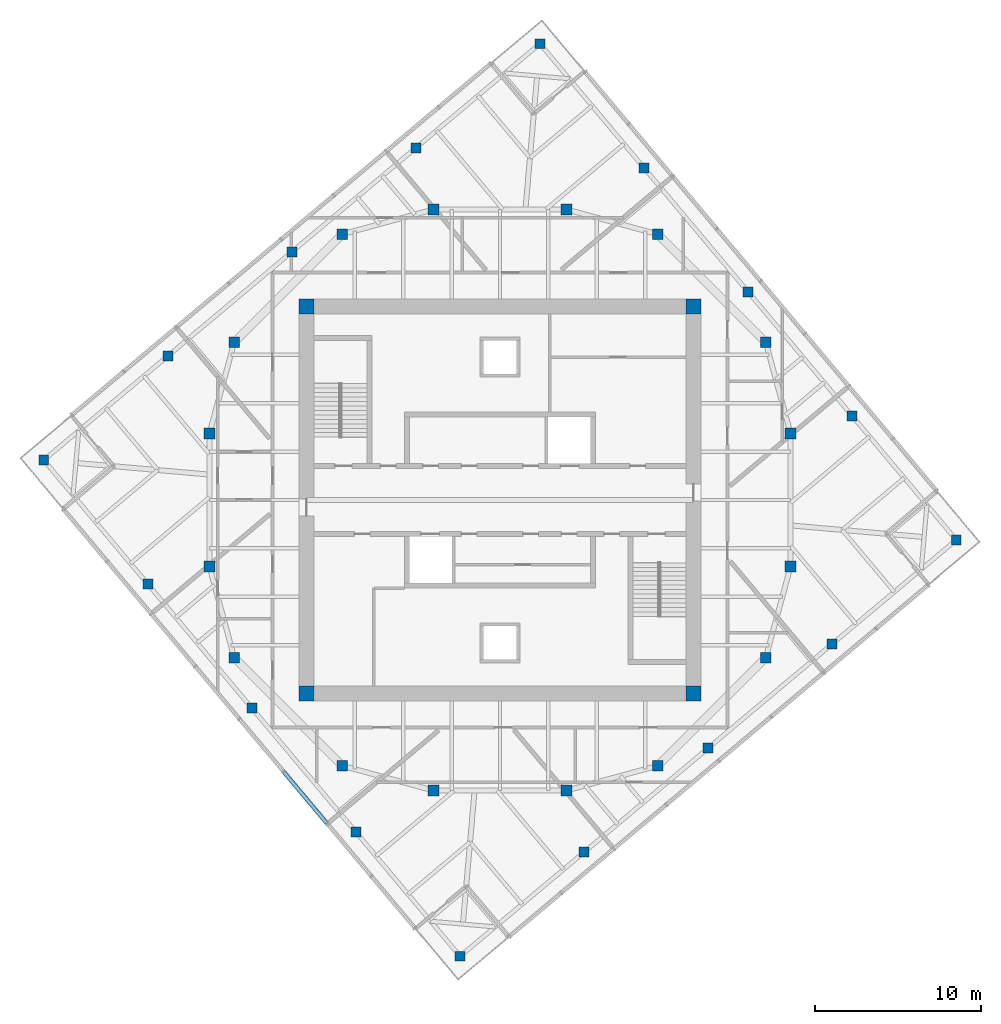
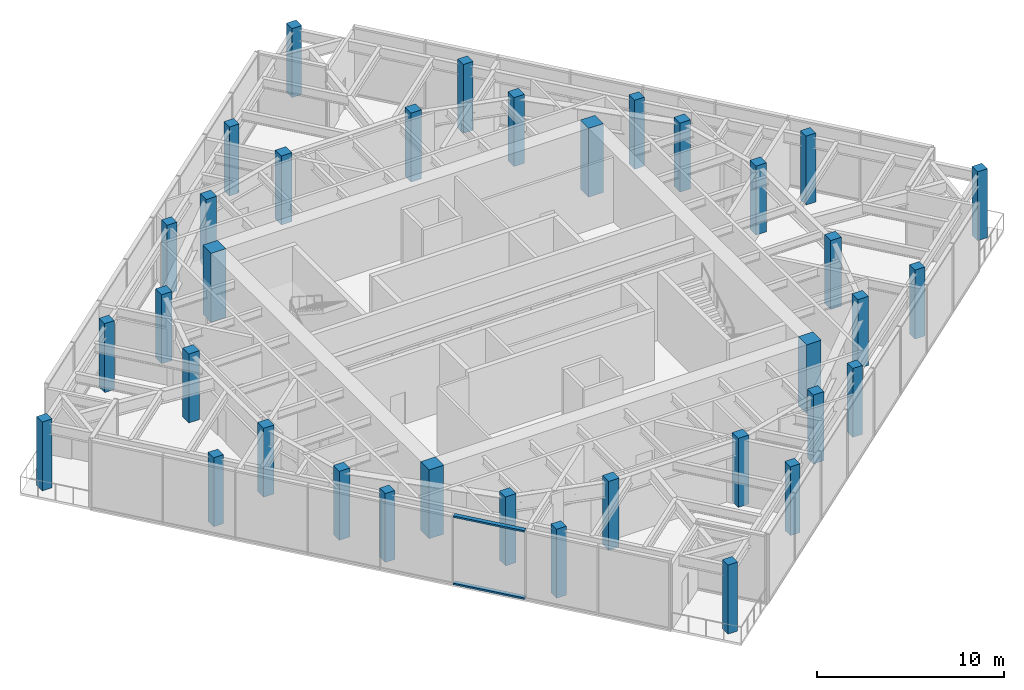
# One storey, part 1 of 11: 36 columns, 2 members, 1 element without a shape of its own.
"""IFC4 building model written with IfcOpenShell, lengths in metres."""

import ifcopenshell
import ifcopenshell.guid

model = None  # the IFC model being written
_history = None  # IfcOwnerHistory: only IFC2X3 demands one
_inside = {}  # id of a spatial element -> (the spatial element, [elements in it])
_under = {}  # id of a project, library or spatial element -> (it, [spatial elements below it])
_declared = {}  # id of a project -> (the project, [libraries it declares])
_typed = {}  # id of a type object -> (the type object, [elements of that type])
_made_of = {}  # id of a material, layer set ... -> (it, [elements and type objects made of it])


def new_model(schema):
    """Start an empty IFC model of exactly this schema.

    Asked for "IFC4X3", IfcOpenShell would pick the latest addendum, in which some entities
    have other attributes; the version numbers below select the first issue.
    IFC2X3 requires an IfcOwnerHistory on every rooted entity: one is made here for all.
    """
    global model, _history
    if schema == "IFC4X3":
        model = ifcopenshell.file(schema_version=(4, 3, 0, 0))
    else:
        model = ifcopenshell.file(schema=schema)
    _inside.clear()
    _under.clear()
    _declared.clear()
    _typed.clear()
    _made_of.clear()
    _history = None
    if model.schema == "IFC2X3":
        org = make("IfcOrganization", Name="unknown")
        user = make(
            "IfcPersonAndOrganization",
            ThePerson=make("IfcPerson", FamilyName="unknown"),
            TheOrganization=org,
        )
        app = make(
            "IfcApplication",
            ApplicationDeveloper=org,
            Version="unknown",
            ApplicationFullName="unknown",
            ApplicationIdentifier="unknown",
        )
        _history = make(
            "IfcOwnerHistory",
            OwningUser=user,
            OwningApplication=app,
            ChangeAction="ADDED",
            CreationDate=0,
        )
    return model


def make(cls, **values):
    """One entity of the class cls with the attributes given. An attribute that is None is left unset."""
    return model.create_entity(
        cls, **{name: value for name, value in values.items() if value is not None}
    )


def rooted(cls, **values):
    """An entity with a GlobalId (a new one), such as an element, a storey or a relation."""
    return make(cls, GlobalId=ifcopenshell.guid.new(), OwnerHistory=_history, **values)


def si_unit(unit_type, name, prefix=None):
    """IfcSIUnit, for example si_unit("LENGTHUNIT", "METRE", prefix="MILLI")."""
    return make("IfcSIUnit", UnitType=unit_type, Prefix=prefix, Name=name)


def assignment(units):
    """IfcUnitAssignment: the units of a project."""
    return None if units is None else make("IfcUnitAssignment", Units=units)


def point(xyz):
    """IfcCartesianPoint."""
    return None if xyz is None else make("IfcCartesianPoint", Coordinates=xyz)


def direction(xyz):
    """IfcDirection."""
    return None if xyz is None else make("IfcDirection", DirectionRatios=xyz)


def frame(location, z_axis=None, x_axis=None):
    """IfcAxis2Placement3D, a coordinate frame: its origin and axes. An axis left out is left unset."""
    return make(
        "IfcAxis2Placement3D",
        Location=point(location),
        Axis=direction(z_axis),
        RefDirection=direction(x_axis),
    )


def frame_2d(location, x_axis=None):
    """IfcAxis2Placement2D, a coordinate frame in the plane: its origin and x axis."""
    return make(
        "IfcAxis2Placement2D", Location=point(location), RefDirection=direction(x_axis)
    )


def origin():
    """The frame at (0, 0, 0) with its axes left unset."""
    return frame((0.0, 0.0, 0.0))


def origin_2d():
    """The frame at (0, 0) in the plane with its x axis left unset."""
    return frame_2d((0.0, 0.0))


def place(relative_to, where):
    """IfcLocalPlacement: puts the frame where relative to a parent placement (None: the world)."""
    return make(
        "IfcLocalPlacement", PlacementRelTo=relative_to, RelativePlacement=where
    )


def context(
    kind, dimensions, precision=None, world=None, true_north=None, identifier=None
):
    """IfcGeometricRepresentationContext, for example the 3D "Model" context."""
    return make(
        "IfcGeometricRepresentationContext",
        ContextIdentifier=identifier,
        ContextType=kind,
        CoordinateSpaceDimension=dimensions,
        Precision=precision,
        WorldCoordinateSystem=world,
        TrueNorth=true_north,
    )


def subcontext(parent, identifier, kind, view, scale=None):
    """IfcGeometricRepresentationSubContext, for example "Body" below "Model"."""
    return make(
        "IfcGeometricRepresentationSubContext",
        ContextIdentifier=identifier,
        ContextType=kind,
        ParentContext=parent,
        TargetScale=scale,
        TargetView=view,
    )


def project(units=None, contexts=None):
    """IfcProject with its units and contexts."""
    return rooted(
        "IfcProject",
        Name="project",
        RepresentationContexts=contexts,
        UnitsInContext=assignment(units),
    )


def spatial(cls, under=None, at=None, **own):
    """A site, building, storey or space (cls), placed at a placement, below another one or the project."""
    s = rooted(cls, ObjectPlacement=at, **own)
    if under is not None:
        _under.setdefault(under.id(), (under, []))[1].append(s)
    return s


def profile(cls, at=None, kind="AREA", **sizes):
    """A parametric profile (cls). Its sizes go by their IFC names, for example OverallWidth=200.0."""
    return make(cls, ProfileType=kind, Position=at, **sizes)


def rectangle(**sizes):
    """IfcRectangleProfileDef."""
    return profile("IfcRectangleProfileDef", **sizes)


def extrude(swept, where, along, depth):
    """IfcExtrudedAreaSolid: the profile swept, set in the frame where, extruded along a direction by depth."""
    return make(
        "IfcExtrudedAreaSolid",
        SweptArea=swept,
        Position=where,
        ExtrudedDirection=direction(along),
        Depth=depth,
    )


def shape(context_of_items, identifier, shape_type, items):
    """IfcShapeRepresentation: the items that make up one representation, for example the "Body"."""
    return make(
        "IfcShapeRepresentation",
        ContextOfItems=context_of_items,
        RepresentationIdentifier=identifier,
        RepresentationType=shape_type,
        Items=items,
    )


def material(Name=None, Category=None):
    """IfcMaterial."""
    return make("IfcMaterial", Name=Name, Category=Category)


def material_profile(
    of_material, cross_section, Name=None, Category=None, Priority=None
):
    """IfcMaterialProfile: a cross section and its material."""
    return make(
        "IfcMaterialProfile",
        Name=Name,
        Material=of_material,
        Profile=cross_section,
        Priority=Priority,
        Category=Category,
    )


def profile_set(profiles, Name=None, composite=None):
    """IfcMaterialProfileSet."""
    return make(
        "IfcMaterialProfileSet",
        Name=Name,
        MaterialProfiles=profiles,
        CompositeProfile=composite,
    )


def made_of(thing, what):
    """Note that an element or type object is made of a material, layer set ...; save() writes the relation."""
    if what is not None:
        _made_of.setdefault(what.id(), (what, []))[1].append(thing)
    return thing


def type_object(cls, material=None, **own):
    """A type object (cls), such as IfcWallType, which elements share."""
    return made_of(rooted(cls, **own), material)


def element(
    cls,
    number,
    at=None,
    inside=None,
    cuts=None,
    type_object=None,
    material=None,
    context=None,
    identifier="Body",
    shape_type=None,
    held_by="IfcProductDefinitionShape",
    body=None,
    shapes=None,
    **own,
):
    """One element of the class cls, such as IfcWall. Its Tag is "e" and its number.

    at: its placement. inside: the storey or other place that contains it. cuts: it is an
    opening in that element (IfcRelVoidsElement). A single representation is given by context,
    identifier, shape_type and body (its items); several are given by shapes. held_by: the class
    of the entity that holds the representations. save() writes the other relations.
    """
    e = rooted(cls, Tag="e%d" % number, ObjectPlacement=at, **own)
    if body is not None:
        shapes = [shape(context, identifier, shape_type, body)]
    if shapes is not None:
        e.Representation = make(held_by, Representations=shapes)
    if inside is not None:
        _inside.setdefault(inside.id(), (inside, []))[1].append(e)
    if cuts is not None:
        rooted(
            "IfcRelVoidsElement", RelatingBuildingElement=cuts, RelatedOpeningElement=e
        )
    if type_object is not None:
        _typed.setdefault(type_object.id(), (type_object, []))[1].append(e)
    return made_of(e, material)


def aggregate(whole, parts):
    """IfcRelAggregates: a whole, such as a stair, and the parts it consists of."""
    return rooted("IfcRelAggregates", RelatingObject=whole, RelatedObjects=parts)


def save(model, path):
    """Write the relations noted so far, then the file.

    IfcRelAggregates (storeys below a building ...), IfcRelContainedInSpatialStructure (elements
    in a storey), IfcRelDefinesByType, IfcRelAssociatesMaterial and IfcRelDeclares: one each for
    every whole, place, type object, material and project.
    """
    for whole, parts in _under.values():
        aggregate(whole, parts)
    for where, things in _inside.values():
        rooted(
            "IfcRelContainedInSpatialStructure",
            RelatedElements=things,
            RelatingStructure=where,
        )
    for kind, things in _typed.values():
        rooted("IfcRelDefinesByType", RelatedObjects=things, RelatingType=kind)
    for what, things in _made_of.values():
        rooted("IfcRelAssociatesMaterial", RelatedObjects=things, RelatingMaterial=what)
    for by, libraries in _declared.values():
        rooted("IfcRelDeclares", RelatingContext=by, RelatedDefinitions=libraries)
    model.write(path)


model = new_model("IFC4")

# Units and contexts
model_context = context("Model", 3, precision=1e-05, world=origin(), true_north=direction((0.0, 1.0)))
body_context = subcontext(model_context, "Body", "Model", "MODEL_VIEW")
ifc_project = project(units=[si_unit("LENGTHUNIT", "METRE"), si_unit("AREAUNIT", "SQUARE_METRE"), si_unit("VOLUMEUNIT", "CUBIC_METRE"), si_unit("PLANEANGLEUNIT", "RADIAN"), si_unit("MASSUNIT", "GRAM", prefix="KILO")], contexts=[model_context])

# Site, building, storey
site_placement = place(None, origin())
site = spatial("IfcSite", under=ifc_project, at=site_placement, CompositionType="ELEMENT")
building_placement = place(site_placement, origin())
building = spatial("IfcBuilding", under=site, at=building_placement, Name="Torsade Residences", CompositionType="ELEMENT")
storey_placement = place(building_placement, frame((0.0, 0.0, 304.300048828125)))
storey = spatial("IfcBuildingStorey", under=building, at=storey_placement, Name="L84", CompositionType="ELEMENT", Elevation=304.300048828125)

# Columns
ifc_material_1 = material(Name="Concrete 80 MPa", Category="concrete")
ifc_material_profile_1 = material_profile(ifc_material_1, rectangle(XDim=0.89990234375, YDim=0.89990234375, at=origin_2d()), Name="RC 900x900")
ifc_profile_set_1 = profile_set([ifc_material_profile_1], Name="Concrete 80 MPa")
column_type_1 = type_object("IfcColumnType", Name="CORE CORNER COLUMN RC 900x900", PredefinedType="COLUMN", material=ifc_profile_set_1)
for number, where, z_axis, x_axis, name in (
    (1, (28.35009765625, 18.35009765625, 0.0), (0.0, 0.0, 1.0), (1.0, 0.0, 0.0), "Core corner column CC1 L84"),
    (2, (51.64990234375, 18.35009765625, 0.0), (0.0, 0.0, 1.0), (1.0, 0.0, 0.0), "Core corner column CC2 L84"),
    (3, (51.64990234375, 41.64990234375, 0.0), (0.0, 0.0, 1.0), (1.0, 0.0, 0.0), "Core corner column CC3 L84"),
    (4, (28.35009765625, 41.64990234375, 0.0), (0.0, 0.0, 1.0), (1.0, 0.0, 0.0), "Core corner column CC4 L84"),
):
    element("IfcColumn", number, at=place(storey_placement, frame(where, z_axis=z_axis, x_axis=x_axis)), inside=storey, type_object=column_type_1, Name=name, PredefinedType="COLUMN", context=body_context, shape_type="SweptSolid", body=[
        extrude(rectangle(XDim=0.89990234375, YDim=0.89990234375, at=origin_2d()), origin(), (0.0, 0.0, 1.0), 4.5),
    ])
ifc_material_2 = material(Name="Concrete 80 MPa", Category="concrete")
ifc_material_profile_2 = material_profile(ifc_material_2, rectangle(XDim=0.64990234375, YDim=0.64990234375, at=origin_2d()), Name="RC 650x650")
ifc_profile_set_2 = profile_set([ifc_material_profile_2], Name="Concrete 80 MPa")
column_type_2 = type_object("IfcColumnType", Name="INNER RING COLUMN RC 650x650", PredefinedType="COLUMN", material=ifc_profile_set_2)
for number, where, z_axis, x_axis, name in (
    (5, (57.5, 26.0, 0.0), (0.0, 0.0, 1.0), (1.0, 0.0, 0.0), "Inner ring column IR01 L84"),
    (6, (57.5, 34.0, 0.0), (0.0, 0.0, 1.0), (1.0, 0.0, 0.0), "Inner ring column IR02 L84"),
    (7, (56.0, 39.5, 0.0), (0.0, 0.0, 1.0), (1.0, 0.0, 0.0), "Inner ring column IR03 L84"),
    (8, (49.5, 46.0, 0.0), (0.0, 0.0, 1.0), (1.0, 0.0, 0.0), "Inner ring column IR04 L84"),
    (9, (44.0, 47.5, 0.0), (0.0, 0.0, 1.0), (1.0, 0.0, 0.0), "Inner ring column IR05 L84"),
    (10, (36.0, 47.5, 0.0), (0.0, 0.0, 1.0), (1.0, 0.0, 0.0), "Inner ring column IR06 L84"),
    (11, (30.5, 46.0, 0.0), (0.0, 0.0, 1.0), (1.0, 0.0, 0.0), "Inner ring column IR07 L84"),
    (12, (24.0, 39.5, 0.0), (0.0, 0.0, 1.0), (1.0, 0.0, 0.0), "Inner ring column IR08 L84"),
    (13, (22.5, 34.0, 0.0), (0.0, 0.0, 1.0), (1.0, 0.0, 0.0), "Inner ring column IR09 L84"),
    (14, (22.5, 26.0, 0.0), (0.0, 0.0, 1.0), (1.0, 0.0, 0.0), "Inner ring column IR10 L84"),
    (15, (24.0, 20.5, 0.0), (0.0, 0.0, 1.0), (1.0, 0.0, 0.0), "Inner ring column IR11 L84"),
    (16, (30.5, 14.0, 0.0), (0.0, 0.0, 1.0), (1.0, 0.0, 0.0), "Inner ring column IR12 L84"),
    (17, (36.0, 12.5, 0.0), (0.0, 0.0, 1.0), (1.0, 0.0, 0.0), "Inner ring column IR13 L84"),
    (18, (44.0, 12.5, 0.0), (0.0, 0.0, 1.0), (1.0, 0.0, 0.0), "Inner ring column IR14 L84"),
    (19, (49.5, 14.0, 0.0), (0.0, 0.0, 1.0), (1.0, 0.0, 0.0), "Inner ring column IR15 L84"),
    (20, (56.0, 20.5, 0.0), (0.0, 0.0, 1.0), (1.0, 0.0, 0.0), "Inner ring column IR16 L84"),
):
    element("IfcColumn", number, at=place(storey_placement, frame(where, z_axis=z_axis, x_axis=x_axis)), inside=storey, type_object=column_type_2, Name=name, PredefinedType="COLUMN", context=body_context, shape_type="SweptSolid", body=[
        extrude(rectangle(XDim=0.64990234375, YDim=0.64990234375, at=origin_2d()), origin(), (0.0, 0.0, 1.0), 4.5),
    ])
ifc_material_3 = material(Name="Concrete 80 MPa", Category="concrete")
ifc_material_profile_3 = material_profile(ifc_material_3, rectangle(XDim=0.60009765625, YDim=0.60009765625, at=origin_2d()), Name="RC 600x600")
ifc_profile_set_3 = profile_set([ifc_material_profile_3], Name="Concrete 80 MPa")
column_type_3 = type_object("IfcColumnType", Name="TOWER COLUMN RC 600x600", PredefinedType="COLUMN", material=ifc_profile_set_3)
for number, where, z_axis, x_axis, name in (
    (21, (37.596435546875, 2.52783203125, 0.0), (0.0, 0.0, 1.0), (1.0, 0.0, 0.0), "Column TC9-01 L84"),
    (22, (45.0654296875, 8.794921875, 0.0), (0.0, 0.0, 1.0), (1.0, 0.0, 0.0), "Column TC9-02 L84"),
    (23, (52.534423828125, 15.06201171875, 0.0), (0.0, 0.0, 1.0), (1.0, 0.0, 0.0), "Column TC9-03 L84"),
    (24, (60.003173828125, 21.329345703125, 0.0), (0.0, 0.0, 1.0), (1.0, 0.0, 0.0), "Column TC9-04 L84"),
    (25, (67.47216796875, 27.596435546875, 0.0), (0.0, 0.0, 1.0), (1.0, 0.0, 0.0), "Column TC9-05 L84"),
    (26, (61.205078125, 35.0654296875, 0.0), (0.0, 0.0, 1.0), (1.0, 0.0, 0.0), "Column TC9-06 L84"),
    (27, (54.93798828125, 42.534423828125, 0.0), (0.0, 0.0, 1.0), (1.0, 0.0, 0.0), "Column TC9-07 L84"),
    (28, (48.670654296875, 50.003173828125, 0.0), (0.0, 0.0, 1.0), (1.0, 0.0, 0.0), "Column TC9-08 L84"),
    (29, (42.403564453125, 57.47216796875, 0.0), (0.0, 0.0, 1.0), (1.0, 0.0, 0.0), "Column TC9-09 L84"),
    (30, (34.9345703125, 51.205078125, 0.0), (0.0, 0.0, 1.0), (1.0, 0.0, 0.0), "Column TC9-10 L84"),
    (31, (27.465576171875, 44.93798828125, 0.0), (0.0, 0.0, 1.0), (1.0, 0.0, 0.0), "Column TC9-11 L84"),
    (32, (19.996826171875, 38.670654296875, 0.0), (0.0, 0.0, 1.0), (1.0, 0.0, 0.0), "Column TC9-12 L84"),
    (33, (12.52783203125, 32.403564453125, 0.0), (0.0, 0.0, 1.0), (1.0, 0.0, 0.0), "Column TC9-13 L84"),
    (34, (18.794921875, 24.9345703125, 0.0), (0.0, 0.0, 1.0), (1.0, 0.0, 0.0), "Column TC9-14 L84"),
    (35, (25.06201171875, 17.465576171875, 0.0), (0.0, 0.0, 1.0), (1.0, 0.0, 0.0), "Column TC9-15 L84"),
    (36, (31.329345703125, 9.996826171875, 0.0), (0.0, 0.0, 1.0), (1.0, 0.0, 0.0), "Column TC9-16 L84"),
):
    element("IfcColumn", number, at=place(storey_placement, frame(where, z_axis=z_axis, x_axis=x_axis)), inside=storey, type_object=column_type_3, Name=name, PredefinedType="COLUMN", context=body_context, shape_type="SweptSolid", body=[
        extrude(rectangle(XDim=0.60009765625, YDim=0.60009765625, at=origin_2d()), origin(), (0.0, 0.0, 1.0), 4.5),
    ])

# Curtain wall, members
ifc_material_4 = material(Name="Aluminium and glass", Category="aluminium")
curtain_wall_type = type_object("IfcCurtainWallType", Name="PLANT LEVEL LOUVRED CURTAIN WALL", PredefinedType="NOTDEFINED", material=ifc_material_4)
curtain_wall_placement = place(storey_placement, origin())
curtain_wall = element("IfcCurtainWall", 37, at=curtain_wall_placement, inside=storey, type_object=curtain_wall_type, Name="Curtain wall L84 face 10", PredefinedType="NOTDEFINED")
ifc_material_5 = material(Name="Aluminium transom", Category="aluminium")
ifc_material_profile_4 = material_profile(ifc_material_5, rectangle(XDim=0.25, YDim=0.110107421875, at=origin_2d()), Name="LOUVRE WALL TRANSOM 250x110")
ifc_profile_set_4 = profile_set([ifc_material_profile_4], Name="Aluminium transom")
member_type = type_object("IfcMemberType", Name="LOUVRE WALL TRANSOM 250x110", PredefinedType="USERDEFINED", material=ifc_profile_set_4)
member_1_placement = place(storey_placement, frame((26.973388671875, 13.63232421875, 0.054931640625), z_axis=(0.642792833221, -0.766040060023, 0.0), x_axis=(0.766040060023, 0.642792833221, 0.0)))
member_1 = element("IfcMember", 38, at=member_1_placement, type_object=member_type, Name="Transom 6.1", ObjectType="TRANSOM", PredefinedType="USERDEFINED", context=body_context, shape_type="SweptSolid", body=[
    extrude(rectangle(XDim=0.25, YDim=0.110107421875, at=origin_2d()), origin(), (0.0, 0.0, 1.0), 4.044921875),
])
member_2_placement = place(storey_placement, frame((26.973388671875, 13.63232421875, 4.445068359375), z_axis=(0.642792833221, -0.766040060023, 0.0), x_axis=(0.766040060023, 0.642792833221, 0.0)))
member_2 = element("IfcMember", 39, at=member_2_placement, type_object=member_type, Name="Transom 6.2", ObjectType="TRANSOM", PredefinedType="USERDEFINED", context=body_context, shape_type="SweptSolid", body=[
    extrude(rectangle(XDim=0.25, YDim=0.110107421875, at=origin_2d()), origin(), (0.0, 0.0, 1.0), 4.044921875),
])
aggregate(curtain_wall, [member_1, member_2])

save(model, "model.ifc")
